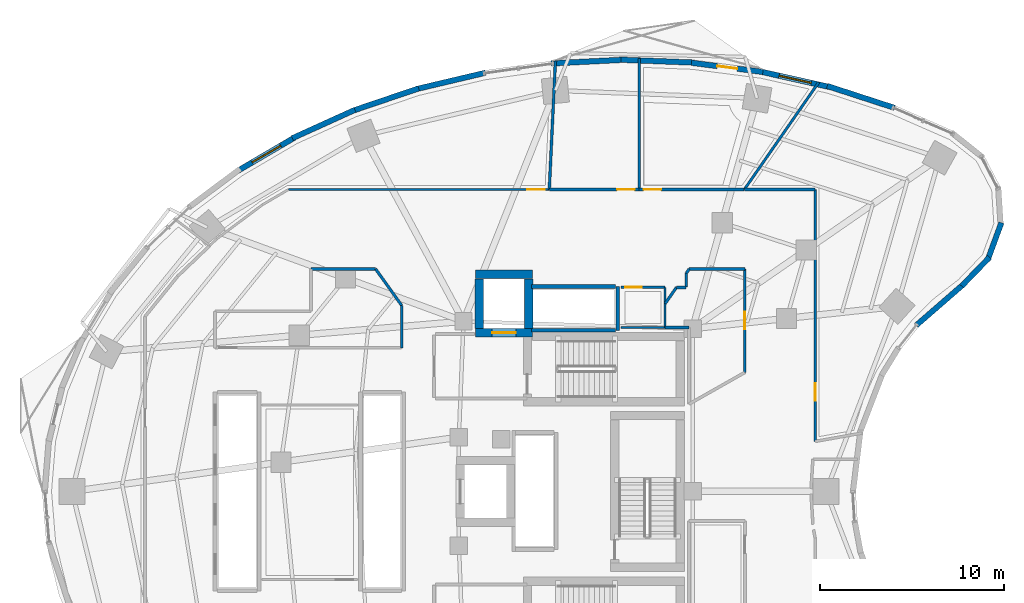
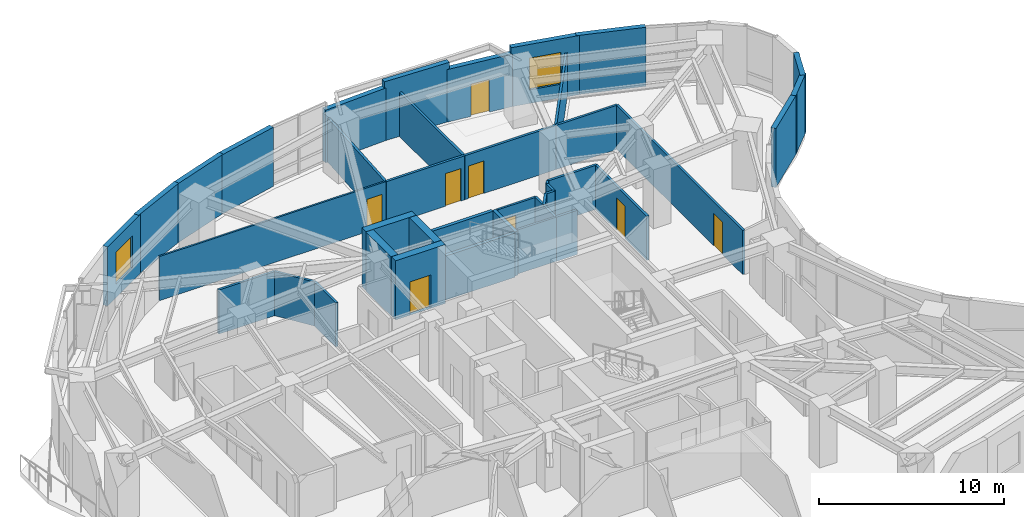
# One storey, part 11 of 15: 40 walls, 8 doors, 2 windows, 10 openings.
"""IFC4 building model written with IfcOpenShell, lengths in metres."""

from ifc_helpers import new_model, si_unit, direction, frame, frame_2d, origin, place, context, subcontext, project, spatial, rectangle, extrude, material, layer, layer_set, type_object, element, fill, save


model = new_model("IFC4")

# Units and contexts
model_context = context("Model", 3, precision=1e-05, world=origin(), true_north=direction((0.0, 1.0)))
body_context = subcontext(model_context, "Body", "Model", "MODEL_VIEW")
ifc_project = project(units=[si_unit("LENGTHUNIT", "METRE"), si_unit("AREAUNIT", "SQUARE_METRE"), si_unit("VOLUMEUNIT", "CUBIC_METRE"), si_unit("PLANEANGLEUNIT", "RADIAN"), si_unit("MASSUNIT", "GRAM", prefix="KILO")], contexts=[model_context])

# Site, building, storey
site_placement = place(None, origin())
site = spatial("IfcSite", under=ifc_project, at=site_placement, CompositionType="ELEMENT")
building_placement = place(site_placement, origin())
building = spatial("IfcBuilding", under=site, at=building_placement, Name="Korentha Bioscience Tower", CompositionType="ELEMENT")
storey_placement = place(building_placement, frame((0.0, 0.0, 42.60009765625)))
storey = spatial("IfcBuildingStorey", under=building, at=storey_placement, Name="L09", CompositionType="ELEMENT", Elevation=42.60009765625)

# Wall, opening, door
ifc_material_1 = material(Name="Double-Stud Acoustic Gypsum", Category="gypsum")
ifc_layer_1 = layer(ifc_material_1, 0.14990234375, Name="Double-Stud Acoustic Gypsum")
ifc_layer_set_1 = layer_set([ifc_layer_1], Name="Double-Stud Acoustic Gypsum (IW-L150)")
wall_type_1 = type_object("IfcWallType", Name="Acoustic Laboratory Partition Wall 150", PredefinedType="PARTITIONING", material=ifc_layer_set_1)
wall_1_placement = place(storey_placement, frame((40.389892578125, 39.090087890625, 0.0), z_axis=(0.0, 0.0, 1.0), x_axis=(0.0, -1.0, 0.0)))
wall_1 = element("IfcWall", 1, at=wall_1_placement, inside=storey, type_object=wall_type_1, Name="L09 Fluorescence Confocal Microscopy Room 10 Entrance Wall", PredefinedType="PARTITIONING", context=body_context, shape_type="SweptSolid", body=[
    extrude(rectangle(XDim=5.62109375, YDim=0.14990234375, at=frame_2d((2.810546875, 0.0))), origin(), (0.0, 0.0, 1.0), 2.909912109375),
])
opening_1_placement = place(wall_1_placement, frame((2.33544921875, 0.0, 0.0)))
opening_1 = element("IfcOpeningElement", 2, at=opening_1_placement, cuts=wall_1, Name="Opening ID-10L", PredefinedType="OPENING", context=body_context, shape_type="SweptSolid", body=[
    extrude(rectangle(XDim=0.949951171875, YDim=2.14990234375, at=frame_2d((0.47509765625, 1.074951171875))), frame((0.0, 0.08984375, 0.0), z_axis=(0.0, -1.0, 0.0), x_axis=(1.0, 0.0, 0.0)), (0.0, 0.0, 1.0), 0.1796875),
])
ifc_material_2 = material(Name="Phenolic Laminate Timber Core", Category="wood")
door_type_1 = type_object("IfcDoorType", Name="Laboratory Single Leaf Door 950x2150 Left", OperationType="SINGLE_SWING_LEFT", PredefinedType="DOOR", material=ifc_material_2)
door_1_placement = place(opening_1_placement, origin())
door_1 = element("IfcDoor", 3, at=door_1_placement, inside=storey, type_object=door_type_1, Name="L09 Fluorescence Confocal Microscopy Room 10 Door", OperationType="SINGLE_SWING_LEFT", OverallHeight=2.14990234375, OverallWidth=0.949951171875, PredefinedType="DOOR", context=body_context, shape_type="SweptSolid", body=[
    extrude(rectangle(XDim=0.949951171875, YDim=2.14990234375, at=frame_2d((0.47509765625, 1.074951171875))), frame((0.0, 0.02490234375, 0.0), z_axis=(0.0, -1.0, 0.0), x_axis=(1.0, 0.0, 0.0)), (0.0, 0.0, 1.0), 0.050048828125),
])
fill(opening_1, door_1)

wall_2_placement = place(storey_placement, frame((40.35302734375, 43.409912109375, 0.0), z_axis=(0.0, 0.0, 1.0), x_axis=(-1.0, 0.0, 0.0)))
wall_2 = element("IfcWall", 4, at=wall_2_placement, inside=storey, type_object=wall_type_1, Name="L09 Incubator and Bioreactor Suite 11 Entrance Wall", PredefinedType="PARTITIONING", context=body_context, shape_type="SweptSolid", body=[
    extrude(rectangle(XDim=5.700927734375, YDim=0.14990234375, at=frame_2d((2.8505859375, 0.0))), origin(), (0.0, 0.0, 1.0), 2.909912109375),
])
opening_2_placement = place(wall_2_placement, frame((4.510986328125, 0.0, 0.0)))
opening_2 = element("IfcOpeningElement", 5, at=opening_2_placement, cuts=wall_2, Name="Opening ID-10R", PredefinedType="OPENING", context=body_context, shape_type="SweptSolid", body=[
    extrude(rectangle(XDim=0.949951171875, YDim=2.14990234375, at=frame_2d((0.47509765625, 1.074951171875))), frame((0.0, 0.08984375, 0.0), z_axis=(0.0, -1.0, 0.0), x_axis=(1.0, 0.0, 0.0)), (0.0, 0.0, 1.0), 0.1796875),
])
door_type_2 = type_object("IfcDoorType", Name="Laboratory Single Leaf Door 950x2150 Right", OperationType="SINGLE_SWING_RIGHT", PredefinedType="DOOR", material=ifc_material_2)
door_2_placement = place(opening_2_placement, origin())
door_2 = element("IfcDoor", 6, at=door_2_placement, inside=storey, type_object=door_type_2, Name="L09 Incubator and Bioreactor Suite 11 Door", OperationType="SINGLE_SWING_RIGHT", OverallHeight=2.14990234375, OverallWidth=0.949951171875, PredefinedType="DOOR", context=body_context, shape_type="SweptSolid", body=[
    extrude(rectangle(XDim=0.949951171875, YDim=2.14990234375, at=frame_2d((0.47509765625, 1.074951171875))), frame((0.0, 0.02490234375, 0.0), z_axis=(0.0, -1.0, 0.0), x_axis=(1.0, 0.0, 0.0)), (0.0, 0.0, 1.0), 0.050048828125),
])
fill(opening_2, door_2)

wall_3_placement = place(storey_placement, frame((34.64208984375, 43.409912109375, 0.0), z_axis=(0.0, 0.0, 1.0), x_axis=(-1.0, 0.0, 0.0)))
wall_3 = element("IfcWall", 7, at=wall_3_placement, inside=storey, type_object=wall_type_1, Name="L09 Translational Medicine Team Office 12 Entrance Wall", PredefinedType="PARTITIONING", context=body_context, shape_type="SweptSolid", body=[
    extrude(rectangle(XDim=4.88037109375, YDim=0.14990234375, at=frame_2d((2.440185546875, 0.0))), origin(), (0.0, 0.0, 1.0), 2.909912109375),
])
opening_3_placement = place(wall_3_placement, frame((0.239990234375, 0.0, 0.0)))
opening_3 = element("IfcOpeningElement", 8, at=opening_3_placement, cuts=wall_3, Name="Opening ID-10L", PredefinedType="OPENING", context=body_context, shape_type="SweptSolid", body=[
    extrude(rectangle(XDim=0.949951171875, YDim=2.14990234375, at=frame_2d((0.47509765625, 1.074951171875))), frame((0.0, 0.08984375, 0.0), z_axis=(0.0, -1.0, 0.0), x_axis=(1.0, 0.0, 0.0)), (0.0, 0.0, 1.0), 0.1796875),
])
door_3_placement = place(opening_3_placement, origin())
door_3 = element("IfcDoor", 9, at=door_3_placement, inside=storey, type_object=door_type_1, Name="L09 Translational Medicine Team Office 12 Door", OperationType="SINGLE_SWING_LEFT", OverallHeight=2.14990234375, OverallWidth=0.949951171875, PredefinedType="DOOR", context=body_context, shape_type="SweptSolid", body=[
    extrude(rectangle(XDim=0.949951171875, YDim=2.14990234375, at=frame_2d((0.47509765625, 1.074951171875))), frame((0.0, 0.02490234375, 0.0), z_axis=(0.0, -1.0, 0.0), x_axis=(1.0, 0.0, 0.0)), (0.0, 0.0, 1.0), 0.050048828125),
])
fill(opening_3, door_3)

# Walls
wall_4_placement = place(storey_placement, frame((36.67138671875, 38.090087890625, 0.0), z_axis=(0.0, 0.0, 1.0), x_axis=(1.0, 0.0, 0.0)))
element("IfcWall", 10, at=wall_4_placement, inside=storey, type_object=wall_type_1, Name="L09 Interior Partition 060", PredefinedType="PARTITIONING", context=body_context, shape_type="SweptSolid", body=[
    extrude(rectangle(XDim=0.528564453125, YDim=0.14990234375, at=frame_2d((0.26416015625, 0.0))), origin(), (0.0, 0.0, 1.0), 2.909912109375),
])
wall_5_placement = place(storey_placement, frame((37.2099609375, 38.10009765625, 0.0), z_axis=(0.0, 0.0, 1.0), x_axis=(0.0, 1.0, 0.0)))
element("IfcWall", 11, at=wall_5_placement, inside=storey, type_object=wall_type_1, Name="L09 Interior Partition 061", PredefinedType="PARTITIONING", context=body_context, shape_type="SweptSolid", body=[
    extrude(rectangle(XDim=0.76611328125, YDim=0.14990234375, at=frame_2d((0.383056640625, 0.0))), origin(), (0.0, 0.0, 1.0), 2.909912109375),
])
wall_6_placement = place(storey_placement, frame((37.2099609375, 38.8662109375, 0.0), z_axis=(0.0, 0.0, 1.0), x_axis=(0.570513293283, 0.821288367254, 0.0)))
element("IfcWall", 12, at=wall_6_placement, inside=storey, type_object=wall_type_1, Name="L09 Interior Partition 062", PredefinedType="PARTITIONING", context=body_context, shape_type="SweptSolid", body=[
    extrude(rectangle(XDim=0.272705078125, YDim=0.14990234375, at=frame_2d((0.13623046875, 0.0))), origin(), (0.0, 0.0, 1.0), 2.909912109375),
])
wall_7_placement = place(storey_placement, frame((37.365478515625, 39.090087890625, 0.0), z_axis=(0.0, 0.0, 1.0), x_axis=(1.0, 0.0, 0.0)))
element("IfcWall", 13, at=wall_7_placement, inside=storey, type_object=wall_type_1, Name="L09 Interior Partition 063", PredefinedType="PARTITIONING", context=body_context, shape_type="SweptSolid", body=[
    extrude(rectangle(XDim=3.0244140625, YDim=0.14990234375, at=frame_2d((1.51220703125, 0.0))), origin(), (0.0, 0.0, 1.0), 2.909912109375),
])
wall_8_placement = place(storey_placement, frame((37.35009765625, 35.909912109375, 0.0), z_axis=(0.0, 0.0, 1.0), x_axis=(-1.0, 0.0, 0.0)))
element("IfcWall", 14, at=wall_8_placement, inside=storey, type_object=wall_type_1, Name="L09 Interior Partition 066", PredefinedType="PARTITIONING", context=body_context, shape_type="SweptSolid", body=[
    extrude(rectangle(XDim=1.2900390625, YDim=0.14990234375, at=frame_2d((0.64501953125, 0.0))), origin(), (0.0, 0.0, 1.0), 2.909912109375),
])
wall_9_placement = place(storey_placement, frame((36.06005859375, 37.208740234375, 0.0), z_axis=(0.0, 0.0, 1.0), x_axis=(0.569943577232, 0.821683831393, 0.0)))
element("IfcWall", 15, at=wall_9_placement, inside=storey, type_object=wall_type_1, Name="L09 Interior Partition 067", PredefinedType="PARTITIONING", context=body_context, shape_type="SweptSolid", body=[
    extrude(rectangle(XDim=1.072509765625, YDim=0.14990234375, at=frame_2d((0.5361328125, 0.0))), origin(), (0.0, 0.0, 1.0), 2.909912109375),
])
wall_10_placement = place(storey_placement, frame((34.652099609375, 43.409912109375, 0.0), z_axis=(0.0, 0.0, 1.0), x_axis=(0.0, 1.0, 0.0)))
element("IfcWall", 16, at=wall_10_placement, inside=storey, type_object=wall_type_1, Name="L09 Interior Partition 068", PredefinedType="PARTITIONING", context=body_context, shape_type="SweptSolid", body=[
    extrude(rectangle(XDim=7.13427734375, YDim=0.14990234375, at=frame_2d((3.567138671875, 0.0))), origin(), (0.0, 0.0, 1.0), 2.909912109375),
])
wall_11_placement = place(storey_placement, frame((29.76171875, 43.409912109375, 0.0), z_axis=(0.0, 0.0, 1.0), x_axis=(0.047838889666, 0.99885506488, 0.0)))
element("IfcWall", 17, at=wall_11_placement, inside=storey, type_object=wall_type_1, Name="L09 Interior Partition 069", PredefinedType="PARTITIONING", context=body_context, shape_type="SweptSolid", body=[
    extrude(rectangle(XDim=6.99169921875, YDim=0.14990234375, at=frame_2d((3.495849609375, 0.0))), origin(), (0.0, 0.0, 1.0), 2.909912109375),
])
wall_12_placement = place(storey_placement, frame((21.739990234375, 37.111083984375, 0.0), z_axis=(0.0, 0.0, 1.0), x_axis=(0.0, -1.0, 0.0)))
element("IfcWall", 18, at=wall_12_placement, inside=storey, type_object=wall_type_1, Name="L09 Interior Partition 074", PredefinedType="PARTITIONING", context=body_context, shape_type="SweptSolid", body=[
    extrude(rectangle(XDim=2.301025390625, YDim=0.14990234375, at=frame_2d((1.150390625, 0.0))), origin(), (0.0, 0.0, 1.0), 2.909912109375),
])
wall_13_placement = place(storey_placement, frame((16.81005859375, 39.090087890625, 0.0), z_axis=(0.0, 0.0, 1.0), x_axis=(1.0, 0.0, 0.0)))
element("IfcWall", 19, at=wall_13_placement, inside=storey, type_object=wall_type_1, Name="L09 Interior Partition 078", PredefinedType="PARTITIONING", context=body_context, shape_type="SweptSolid", body=[
    extrude(rectangle(XDim=3.5146484375, YDim=0.14990234375, at=frame_2d((1.75732421875, 0.0))), origin(), (0.0, 0.0, 1.0), 2.909912109375),
])
wall_14_placement = place(storey_placement, frame((20.32470703125, 39.090087890625, 0.0), z_axis=(0.0, 0.0, 1.0), x_axis=(0.581703214005, -0.813401113115, 0.0)))
element("IfcWall", 20, at=wall_14_placement, inside=storey, type_object=wall_type_1, Name="L09 Interior Partition 079", PredefinedType="PARTITIONING", context=body_context, shape_type="SweptSolid", body=[
    extrude(rectangle(XDim=2.43310546875, YDim=0.14990234375, at=frame_2d((1.216552734375, 0.0))), origin(), (0.0, 0.0, 1.0), 2.909912109375),
])

# Wall, opening, door
ifc_material_3 = material(Name="Insulated Aluminium Honeycomb Panel", Category="aluminium")
ifc_layer_2 = layer(ifc_material_3, 0.139892578125, Name="Insulated Aluminium Honeycomb Panel")
ifc_layer_set_2 = layer_set([ifc_layer_2], Name="Insulated Aluminium Honeycomb Panel (IW-F60)")
wall_type_2 = type_object("IfcWallType", Name="Cleanroom Flush Metal Panel Partition 140", PredefinedType="PARTITIONING", material=ifc_layer_set_2)
wall_15_placement = place(storey_placement, frame((44.2099609375, 29.719970703125, 0.0), z_axis=(0.0, 0.0, 1.0), x_axis=(0.0, 1.0, 0.0)))
wall_15 = element("IfcWall", 21, at=wall_15_placement, inside=storey, type_object=wall_type_2, Name="L09 Airlock Gowning Anteroom 09 Entrance Wall", PredefinedType="PARTITIONING", context=body_context, shape_type="SweptSolid", body=[
    extrude(rectangle(XDim=13.679931640625, YDim=0.139892578125, at=frame_2d((6.83984375, 0.0))), origin(), (0.0, 0.0, 1.0), 2.909912109375),
])
opening_4_placement = place(wall_15_placement, frame((2.2021484375, 0.0, 0.0)))
opening_4 = element("IfcOpeningElement", 22, at=opening_4_placement, cuts=wall_15, Name="Opening ID-10R", PredefinedType="OPENING", context=body_context, shape_type="SweptSolid", body=[
    extrude(rectangle(XDim=0.949951171875, YDim=2.14990234375, at=frame_2d((0.47509765625, 1.074951171875))), frame((0.0, 0.0849609375, 0.0), z_axis=(0.0, -1.0, 0.0), x_axis=(1.0, 0.0, 0.0)), (0.0, 0.0, 1.0), 0.169677734375),
])
door_4_placement = place(opening_4_placement, origin())
door_4 = element("IfcDoor", 23, at=door_4_placement, inside=storey, type_object=door_type_2, Name="L09 Airlock Gowning Anteroom 09 Door", OperationType="SINGLE_SWING_RIGHT", OverallHeight=2.14990234375, OverallWidth=0.949951171875, PredefinedType="DOOR", context=body_context, shape_type="SweptSolid", body=[
    extrude(rectangle(XDim=0.949951171875, YDim=2.14990234375, at=frame_2d((0.47509765625, 1.074951171875))), frame((0.0, 0.02490234375, 0.0), z_axis=(0.0, -1.0, 0.0), x_axis=(1.0, 0.0, 0.0)), (0.0, 0.0, 1.0), 0.050048828125),
])
fill(opening_4, door_4)

# Walls
wall_16_placement = place(storey_placement, frame((44.199951171875, 43.409912109375, 0.0), z_axis=(0.0, 0.0, 1.0), x_axis=(-1.0, 0.0, 0.0)))
element("IfcWall", 24, at=wall_16_placement, inside=storey, type_object=wall_type_2, Name="L09 Interior Partition 058", PredefinedType="PARTITIONING", context=body_context, shape_type="SweptSolid", body=[
    extrude(rectangle(XDim=3.8369140625, YDim=0.139892578125, at=frame_2d((1.91845703125, 0.0))), origin(), (0.0, 0.0, 1.0), 2.909912109375),
])
wall_17_placement = place(storey_placement, frame((40.363037109375, 43.409912109375, 0.0), z_axis=(0.0, 0.0, 1.0), x_axis=(0.570097674314, 0.821576923813, 0.0)))
element("IfcWall", 25, at=wall_17_placement, inside=storey, type_object=wall_type_2, Name="L09 Interior Partition 059", PredefinedType="PARTITIONING", context=body_context, shape_type="SweptSolid", body=[
    extrude(rectangle(XDim=7.0908203125, YDim=0.139892578125, at=frame_2d((3.54541015625, 0.0))), origin(), (0.0, 0.0, 1.0), 2.909912109375),
])

# Wall, opening, door
ifc_material_4 = material(Name="Fire-Rated Framed Glass", Category="glass")
ifc_layer_3 = layer(ifc_material_4, 0.110107421875, Name="Fire-Rated Framed Glass")
ifc_layer_set_3 = layer_set([ifc_layer_3], Name="Fire-Rated Framed Glass (IW-G110)")
wall_type_3 = type_object("IfcWallType", Name="Demountable Glazed Office Partition 110", PredefinedType="MOVABLE", material=ifc_layer_set_3)
wall_18_placement = place(storey_placement, frame((29.751708984375, 43.409912109375, 0.0), z_axis=(0.0, 0.0, 1.0), x_axis=(-1.0, 0.0, 0.0)))
wall_18 = element("IfcWall", 26, at=wall_18_placement, inside=storey, type_object=wall_type_3, Name="L09 Biostatistics Research Office 13 Entrance Wall", PredefinedType="MOVABLE", context=body_context, shape_type="SweptSolid", body=[
    extrude(rectangle(XDim=14.160888671875, YDim=0.110107421875, at=frame_2d((7.08056640625, 0.0))), origin(), (0.0, 0.0, 1.0), 2.909912109375),
])
opening_5_placement = place(wall_18_placement, frame((0.239990234375, 0.0, 0.0)))
opening_5 = element("IfcOpeningElement", 27, at=opening_5_placement, cuts=wall_18, Name="Opening ID-10R", PredefinedType="OPENING", context=body_context, shape_type="SweptSolid", body=[
    extrude(rectangle(XDim=0.949951171875, YDim=2.14990234375, at=frame_2d((0.47509765625, 1.074951171875))), frame((0.0, 0.06982421875, 0.0), z_axis=(0.0, -1.0, 0.0), x_axis=(1.0, 0.0, 0.0)), (0.0, 0.0, 1.0), 0.139892578125),
])
door_5_placement = place(opening_5_placement, origin())
door_5 = element("IfcDoor", 28, at=door_5_placement, inside=storey, type_object=door_type_2, Name="L09 Biostatistics Research Office 13 Door", OperationType="SINGLE_SWING_RIGHT", OverallHeight=2.14990234375, OverallWidth=0.949951171875, PredefinedType="DOOR", context=body_context, shape_type="SweptSolid", body=[
    extrude(rectangle(XDim=0.949951171875, YDim=2.14990234375, at=frame_2d((0.47509765625, 1.074951171875))), frame((0.0, 0.02490234375, 0.0), z_axis=(0.0, -1.0, 0.0), x_axis=(1.0, 0.0, 0.0)), (0.0, 0.0, 1.0), 0.050048828125),
])
fill(opening_5, door_5)

# Wall, opening, window
ifc_material_5 = material(Name="Honed Limestone Precast Concrete C40", Category="masonry")
ifc_layer_4 = layer(ifc_material_5, 0.300048828125, Name="Honed Limestone Precast Concrete C40")
ifc_layer_set_4 = layer_set([ifc_layer_4], Name="Honed Limestone Precast Concrete C40 (EW-ST300)")
wall_type_4 = type_object("IfcWallType", Name="Honed Limestone Cavity Spandrel Wall 300", PredefinedType="STANDARD", material=ifc_layer_set_4)
wall_19_placement = place(storey_placement, frame((45.015869140625, 48.97607421875, 0.0), z_axis=(0.0, 0.0, 1.0), x_axis=(-0.9758772609, 0.218319883791, 0.0)))
wall_19 = element("IfcWall", 29, at=wall_19_placement, inside=storey, type_object=wall_type_4, Name="L09 Honed Limestone Spandrel Wall 03", PredefinedType="STANDARD", context=body_context, shape_type="SweptSolid", body=[
    extrude(rectangle(XDim=3.869140625, YDim=0.300048828125, at=frame_2d((1.9345703125, 0.0))), origin(), (0.0, 0.0, 1.0), 3.89990234375),
])
opening_6_placement = place(wall_19_placement, frame((1.034423828125, 0.0, 0.89990234375)))
opening_6 = element("IfcOpeningElement", 30, at=opening_6_placement, cuts=wall_19, Name="Opening WN-01", PredefinedType="OPENING", context=body_context, shape_type="SweptSolid", body=[
    extrude(rectangle(XDim=1.800048828125, YDim=2.10009765625, at=frame_2d((0.89990234375, 1.050048828125))), frame((0.0, 0.1650390625, 0.0), z_axis=(0.0, -1.0, 0.0), x_axis=(1.0, 0.0, 0.0)), (0.0, 0.0, 1.0), 0.329833984375),
])
ifc_material_6 = material(Name="Thermally Broken Aluminium Triple Glazing", Category="aluminium")
window_type = type_object("IfcWindowType", Name="Triple-Glazed Fixed Bioscience Window 1800x2100", PartitioningType="SINGLE_PANEL", PredefinedType="WINDOW", material=ifc_material_6)
window_1_placement = place(opening_6_placement, origin())
window_1 = element("IfcWindow", 31, at=window_1_placement, inside=storey, type_object=window_type, Name="L09 Facade Window 03", OverallHeight=2.10009765625, OverallWidth=1.800048828125, PartitioningType="SINGLE_PANEL", PredefinedType="WINDOW", context=body_context, shape_type="SweptSolid", body=[
    extrude(rectangle(XDim=1.800048828125, YDim=2.10009765625, at=frame_2d((0.89990234375, 1.050048828125))), frame((0.0, 0.030029296875, 0.0), z_axis=(0.0, -1.0, 0.0), x_axis=(1.0, 0.0, 0.0)), (0.0, 0.0, 1.0), 0.06005859375),
])
fill(opening_6, window_1)

# Wall, opening, door
wall_20_placement = place(storey_placement, frame((41.37255859375, 49.797607421875, 0.0), z_axis=(0.0, 0.0, 1.0), x_axis=(-0.991741322416, 0.128254237408, 0.0)))
wall_20 = element("IfcWall", 32, at=wall_20_placement, inside=storey, type_object=wall_type_4, Name="L09 Balcony Threshold Wall 01", PredefinedType="STANDARD", context=body_context, shape_type="SweptSolid", body=[
    extrude(rectangle(XDim=3.91552734375, YDim=0.300048828125, at=frame_2d((1.957763671875, 0.0))), origin(), (0.0, 0.0, 1.0), 3.469970703125),
])
opening_7_placement = place(wall_20_placement, frame((1.407958984375, 0.0, 0.0)))
opening_7 = element("IfcOpeningElement", 33, at=opening_7_placement, cuts=wall_20, Name="Opening BD-11L", PredefinedType="OPENING", context=body_context, shape_type="SweptSolid", body=[
    extrude(rectangle(XDim=1.10009765625, YDim=2.14990234375, at=frame_2d((0.550048828125, 1.074951171875))), frame((0.0, 0.1650390625, 0.0), z_axis=(0.0, -1.0, 0.0), x_axis=(1.0, 0.0, 0.0)), (0.0, 0.0, 1.0), 0.329833984375),
])
ifc_material_7 = material(Name="Thermally Broken Glazed Aluminium", Category="aluminium")
door_type_3 = type_object("IfcDoorType", Name="Balcony Terrace Glazed Door 1100x2150 Left", OperationType="SINGLE_SWING_LEFT", PredefinedType="DOOR", material=ifc_material_7)
door_6_placement = place(opening_7_placement, origin())
door_6 = element("IfcDoor", 34, at=door_6_placement, inside=storey, type_object=door_type_3, Name="L09 Balcony Access Door 01", OperationType="SINGLE_SWING_LEFT", OverallHeight=2.14990234375, OverallWidth=1.10009765625, PredefinedType="DOOR", context=body_context, shape_type="SweptSolid", body=[
    extrude(rectangle(XDim=1.10009765625, YDim=2.14990234375, at=frame_2d((0.550048828125, 1.074951171875))), frame((0.0, 0.02490234375, 0.0), z_axis=(0.0, -1.0, 0.0), x_axis=(1.0, 0.0, 0.0)), (0.0, 0.0, 1.0), 0.050048828125),
])
fill(opening_7, door_6)

# Wall, opening, window
wall_21_placement = place(storey_placement, frame((15.943603515625, 46.25048828125, 0.0), z_axis=(0.0, 0.0, 1.0), x_axis=(-0.862473134325, -0.506102847817, 0.0)))
wall_21 = element("IfcWall", 35, at=wall_21_placement, inside=storey, type_object=wall_type_4, Name="L09 Honed Limestone Spandrel Wall 11", PredefinedType="STANDARD", context=body_context, shape_type="SweptSolid", body=[
    extrude(rectangle(XDim=3.59521484375, YDim=0.300048828125, at=frame_2d((1.797607421875, 0.0))), origin(), (0.0, 0.0, 1.0), 3.89990234375),
])
opening_8_placement = place(wall_21_placement, frame((0.897705078125, 0.0, 0.89990234375)))
opening_8 = element("IfcOpeningElement", 36, at=opening_8_placement, cuts=wall_21, Name="Opening WN-01", PredefinedType="OPENING", context=body_context, shape_type="SweptSolid", body=[
    extrude(rectangle(XDim=1.800048828125, YDim=2.10009765625, at=frame_2d((0.89990234375, 1.050048828125))), frame((0.0, 0.1650390625, 0.0), z_axis=(0.0, -1.0, 0.0), x_axis=(1.0, 0.0, 0.0)), (0.0, 0.0, 1.0), 0.329833984375),
])
window_2_placement = place(opening_8_placement, origin())
window_2 = element("IfcWindow", 37, at=window_2_placement, inside=storey, type_object=window_type, Name="L09 Facade Window 11", OverallHeight=2.10009765625, OverallWidth=1.800048828125, PartitioningType="SINGLE_PANEL", PredefinedType="WINDOW", context=body_context, shape_type="SweptSolid", body=[
    extrude(rectangle(XDim=1.800048828125, YDim=2.10009765625, at=frame_2d((0.89990234375, 1.050048828125))), frame((0.0, 0.030029296875, 0.0), z_axis=(0.0, -1.0, 0.0), x_axis=(1.0, 0.0, 0.0)), (0.0, 0.0, 1.0), 0.06005859375),
])
fill(opening_8, window_2)

# Walls
wall_22_placement = place(storey_placement, frame((48.524658203125, 47.84912109375, 0.0), z_axis=(0.0, 0.0, 1.0), x_axis=(-0.950965833732, 0.309295947393, 0.0)))
element("IfcWall", 38, at=wall_22_placement, inside=storey, type_object=wall_type_4, Name="L09 Limestone Perimeter Closure Wall 02", PredefinedType="STANDARD", context=body_context, shape_type="SweptSolid", body=[
    extrude(rectangle(XDim=3.840087890625, YDim=0.300048828125, at=frame_2d((1.919921875, 0.0))), origin(), (0.0, 0.0, 1.0), 3.89990234375),
])
wall_23_placement = place(storey_placement, frame((37.643798828125, 50.307861328125, 0.0), z_axis=(0.0, 0.0, 1.0), x_axis=(-0.999245411623, 0.038840794937, 0.0)))
element("IfcWall", 39, at=wall_23_placement, inside=storey, type_object=wall_type_4, Name="L09 Limestone Perimeter Closure Wall 05", PredefinedType="STANDARD", context=body_context, shape_type="SweptSolid", body=[
    extrude(rectangle(XDim=3.978759765625, YDim=0.300048828125, at=frame_2d((1.9892578125, 0.0))), origin(), (0.0, 0.0, 1.0), 3.89990234375),
])
wall_24_placement = place(storey_placement, frame((33.84033203125, 50.46337890625, 0.0), z_axis=(0.0, 0.0, 1.0), x_axis=(-0.998732359232, -0.050335619826, 0.0)))
element("IfcWall", 40, at=wall_24_placement, inside=storey, type_object=wall_type_4, Name="L09 Limestone Perimeter Closure Wall 06", PredefinedType="STANDARD", context=body_context, shape_type="SweptSolid", body=[
    extrude(rectangle(XDim=3.977294921875, YDim=0.300048828125, at=frame_2d((1.98876953125, 0.0))), origin(), (0.0, 0.0, 1.0), 3.469970703125),
])
wall_25_placement = place(storey_placement, frame((26.29736328125, 49.7587890625, 0.0), z_axis=(0.0, 0.0, 1.0), x_axis=(-0.973197600754, -0.229970497863, 0.0)))
element("IfcWall", 41, at=wall_25_placement, inside=storey, type_object=wall_type_4, Name="L09 Limestone Perimeter Closure Wall 08", PredefinedType="STANDARD", context=body_context, shape_type="SweptSolid", body=[
    extrude(rectangle(XDim=3.9013671875, YDim=0.300048828125, at=frame_2d((1.95068359375, 0.0))), origin(), (0.0, 0.0, 1.0), 3.89990234375),
])
wall_26_placement = place(storey_placement, frame((22.6669921875, 48.9091796875, 0.0), z_axis=(0.0, 0.0, 1.0), x_axis=(-0.94702579403, -0.321157508773, 0.0)))
element("IfcWall", 42, at=wall_26_placement, inside=storey, type_object=wall_type_4, Name="L09 Limestone Perimeter Closure Wall 09", PredefinedType="STANDARD", context=body_context, shape_type="SweptSolid", body=[
    extrude(rectangle(XDim=3.829833984375, YDim=0.300048828125, at=frame_2d((1.9150390625, 0.0))), origin(), (0.0, 0.0, 1.0), 3.89990234375),
])
wall_27_placement = place(storey_placement, frame((19.201416015625, 47.7431640625, 0.0), z_axis=(0.0, 0.0, 1.0), x_axis=(-0.910623406862, -0.413237233166, 0.0)))
element("IfcWall", 43, at=wall_27_placement, inside=storey, type_object=wall_type_4, Name="L09 Limestone Perimeter Closure Wall 10", PredefinedType="STANDARD", context=body_context, shape_type="SweptSolid", body=[
    extrude(rectangle(XDim=3.73974609375, YDim=0.300048828125, at=frame_2d((1.869873046875, 0.0))), origin(), (0.0, 0.0, 1.0), 3.89990234375),
])
wall_28_placement = place(storey_placement, frame((49.708984375, 36.029296875, 0.0), z_axis=(0.0, 0.0, 1.0), x_axis=(0.754746490246, 0.656016566454, 0.0)))
element("IfcWall", 44, at=wall_28_placement, inside=storey, type_object=wall_type_4, Name="L09 Limestone Perimeter Closure Wall 56", PredefinedType="STANDARD", context=body_context, shape_type="SweptSolid", body=[
    extrude(rectangle(XDim=3.4296875, YDim=0.300048828125, at=frame_2d((1.71484375, 0.0))), origin(), (0.0, 0.0, 1.0), 3.89990234375),
])
wall_29_placement = place(storey_placement, frame((52.1728515625, 38.1611328125, 0.0), z_axis=(0.0, 0.0, 1.0), x_axis=(0.695404695719, 0.718618333451, 0.0)))
element("IfcWall", 45, at=wall_29_placement, inside=storey, type_object=wall_type_4, Name="L09 Limestone Perimeter Closure Wall 58", PredefinedType="STANDARD", context=body_context, shape_type="SweptSolid", body=[
    extrude(rectangle(XDim=2.1875, YDim=0.300048828125, at=frame_2d((1.09375, 0.0))), origin(), (0.0, 0.0, 1.0), 3.89990234375),
])
wall_30_placement = place(storey_placement, frame((53.580078125, 39.551513671875, 0.0), z_axis=(0.0, 0.0, 1.0), x_axis=(0.344939866054, 0.938624785954, 0.0)))
element("IfcWall", 46, at=wall_30_placement, inside=storey, type_object=wall_type_4, Name="L09 Limestone Perimeter Closure Wall 59", PredefinedType="STANDARD", context=body_context, shape_type="SweptSolid", body=[
    extrude(rectangle(XDim=2.187744140625, YDim=0.300048828125, at=frame_2d((1.09375, 0.0))), origin(), (0.0, 0.0, 1.0), 3.89990234375),
])
ifc_material_8 = material(Name="Autoclaved Aerated Concrete Block C25", Category="concrete")
ifc_layer_5 = layer(ifc_material_8, 0.199951171875, Name="Autoclaved Aerated Concrete Block C25")
ifc_layer_set_5 = layer_set([ifc_layer_5], Name="Autoclaved Aerated Concrete Block C25 (IW-S200)")
wall_type_5 = type_object("IfcWallType", Name="Lift and Riser Shaft Enclosure Wall 200", PredefinedType="PARTITIONING", material=ifc_layer_set_5)
wall_31_placement = place(storey_placement, frame((33.489990234375, 35.760009765625, 0.0), z_axis=(0.0, 0.0, 1.0), x_axis=(0.0, 1.0, 0.0)))
element("IfcWall", 47, at=wall_31_placement, inside=storey, type_object=wall_type_5, Name="L09 Lift Bank OBS Shaft Wall +X", PredefinedType="PARTITIONING", context=body_context, shape_type="SweptSolid", body=[
    extrude(rectangle(XDim=2.3798828125, YDim=0.199951171875, at=frame_2d((1.18994140625, 0.0))), origin(), (0.0, 0.0, 1.0), 2.909912109375),
])
for number, where, z_axis, x_axis, name in (
    (48, (28.800048828125, 35.760009765625, 0.0), (0.0, 0.0, 1.0), (1.0, 0.0, 0.0), "L09 Lift Bank OBS Shaft Wall -Y"),
    (49, (28.800048828125, 38.139892578125, 0.0), (0.0, 0.0, 1.0), (1.0, 0.0, 0.0), "L09 Lift Bank OBS Shaft Wall +Y"),
):
    element("IfcWall", number, at=place(storey_placement, frame(where, z_axis=z_axis, x_axis=x_axis)), inside=storey, type_object=wall_type_5, Name=name, PredefinedType="PARTITIONING", context=body_context, shape_type="SweptSolid", body=[
        extrude(rectangle(XDim=4.570068359375, YDim=0.199951171875, at=frame_2d((2.28515625, 0.0))), origin(), (0.0, 0.0, 1.0), 2.909912109375),
    ])
ifc_material_9 = material(Name="Concrete C80", Category="concrete")
ifc_layer_6 = layer(ifc_material_9, 0.449951171875, Name="Concrete C80")
ifc_layer_set_6 = layer_set([ifc_layer_6], Name="Concrete C80 (CW-C80)")
wall_type_6 = type_object("IfcWallType", Name="Lower Core Shear Wall 450", PredefinedType="SHEAR", material=ifc_layer_set_6)
wall_32_placement = place(storey_placement, frame((25.75, 38.800048828125, 0.0), z_axis=(0.0, 0.0, 1.0), x_axis=(1.0, 0.0, 0.0)))
element("IfcWall", 50, at=wall_32_placement, inside=storey, type_object=wall_type_6, Name="L09 Core Shear Wall FFL2-N", PredefinedType="SHEAR", context=body_context, shape_type="SweptSolid", body=[
    extrude(rectangle(XDim=3.10009765625, YDim=0.449951171875, at=frame_2d((1.550048828125, 0.0))), origin(), (0.0, 0.0, 1.0), 3.89990234375),
])

# Wall, opening, door
wall_33_placement = place(storey_placement, frame((25.75, 35.6201171875, 0.0), z_axis=(0.0, 0.0, 1.0), x_axis=(1.0, 0.0, 0.0)))
wall_33 = element("IfcWall", 51, at=wall_33_placement, inside=storey, type_object=wall_type_6, Name="L09 Core Shear Wall FFL2-S", PredefinedType="SHEAR", context=body_context, shape_type="SweptSolid", body=[
    extrude(rectangle(XDim=3.10009765625, YDim=0.449951171875, at=frame_2d((1.550048828125, 0.0))), origin(), (0.0, 0.0, 1.0), 3.89990234375),
])
opening_9_placement = place(wall_33_placement, frame((0.89990234375, 0.0, 0.0)))
opening_9 = element("IfcOpeningElement", 52, at=opening_9_placement, cuts=wall_33, Name="Opening LD-13", PredefinedType="OPENING", context=body_context, shape_type="SweptSolid", body=[
    extrude(rectangle(XDim=1.300048828125, YDim=2.199951171875, at=frame_2d((0.64990234375, 1.10009765625))), frame((0.0, 0.23974609375, 0.0), z_axis=(0.0, -1.0, 0.0), x_axis=(1.0, 0.0, 0.0)), (0.0, 0.0, 1.0), 0.479736328125),
])
ifc_material_10 = material(Name="Brushed Stainless Steel 316", Category="steel")
door_type_4 = type_object("IfcDoorType", Name="Service & Firefighting Lift Landing Door 1300x2300", OperationType="DOUBLE_DOOR_SLIDING", PredefinedType="DOOR", material=ifc_material_10)
door_7_placement = place(opening_9_placement, origin())
door_7 = element("IfcDoor", 53, at=door_7_placement, inside=storey, type_object=door_type_4, Name="L09 FFL-2 Sliding Lift Landing Door", OperationType="DOUBLE_DOOR_SLIDING", OverallHeight=2.199951171875, OverallWidth=1.300048828125, PredefinedType="DOOR", context=body_context, shape_type="SweptSolid", body=[
    extrude(rectangle(XDim=1.300048828125, YDim=2.199951171875, at=frame_2d((0.64990234375, 1.10009765625))), frame((0.0, 0.02490234375, 0.0), z_axis=(0.0, -1.0, 0.0), x_axis=(1.0, 0.0, 0.0)), (0.0, 0.0, 1.0), 0.050048828125),
])
fill(opening_9, door_7)

# Walls
for number, where, z_axis, x_axis, name in (
    (54, (25.949951171875, 35.860107421875, 0.0), (0.0, 0.0, 1.0), (0.0, 1.0, 0.0), "L09 Core Shear Wall FFL2-W"),
    (55, (28.64990234375, 35.860107421875, 0.0), (0.0, 0.0, 1.0), (0.0, 1.0, 0.0), "L09 Core Shear Wall FFL2-E"),
):
    element("IfcWall", number, at=place(storey_placement, frame(where, z_axis=z_axis, x_axis=x_axis)), inside=storey, type_object=wall_type_6, Name=name, PredefinedType="SHEAR", context=body_context, shape_type="SweptSolid", body=[
        extrude(rectangle(XDim=2.699951171875, YDim=0.449951171875, at=frame_2d((1.35009765625, 0.0))), origin(), (0.0, 0.0, 1.0), 3.89990234375),
    ])

# Wall, opening, door
ifc_material_11 = material(Name="Cement-Board Steel Stud", Category="steel")
ifc_layer_7 = layer(ifc_material_11, 0.1298828125, Name="Cement-Board Steel Stud")
ifc_layer_set_7 = layer_set([ifc_layer_7], Name="Cement-Board Steel Stud (IW-W130)")
wall_type_7 = type_object("IfcWallType", Name="Wet-Area Moisture-Resistant Partition 130", PredefinedType="PARTITIONING", material=ifc_layer_set_7)
wall_34_placement = place(storey_placement, frame((33.64990234375, 38.090087890625, 0.0), z_axis=(0.0, 0.0, 1.0), x_axis=(1.0, 0.0, 0.0)))
wall_34 = element("IfcWall", 56, at=wall_34_placement, inside=storey, type_object=wall_type_7, Name="L09 Accessible Staff WC Entrance Wall", PredefinedType="PARTITIONING", context=body_context, shape_type="SweptSolid", body=[
    extrude(rectangle(XDim=2.400146484375, YDim=0.1298828125, at=frame_2d((1.2001953125, 0.0))), origin(), (0.0, 0.0, 1.0), 2.909912109375),
])
opening_10_placement = place(wall_34_placement, frame((0.239990234375, 0.0, 0.0)))
opening_10 = element("IfcOpeningElement", 57, at=opening_10_placement, cuts=wall_34, Name="Opening ID-09L", PredefinedType="OPENING", context=body_context, shape_type="SweptSolid", body=[
    extrude(rectangle(XDim=0.89990234375, YDim=2.14990234375, at=frame_2d((0.449951171875, 1.074951171875))), frame((0.0, 0.079833984375, 0.0), z_axis=(0.0, -1.0, 0.0), x_axis=(1.0, 0.0, 0.0)), (0.0, 0.0, 1.0), 0.15966796875),
])
ifc_material_12 = material(Name="Moisture-Resistant HPL Leaf", Category="wood")
door_type_5 = type_object("IfcDoorType", Name="Restroom & Accessible WC Door 900x2150 Left", OperationType="SINGLE_SWING_LEFT", PredefinedType="DOOR", material=ifc_material_12)
door_8_placement = place(opening_10_placement, origin())
door_8 = element("IfcDoor", 58, at=door_8_placement, inside=storey, type_object=door_type_5, Name="L09 Accessible Staff WC Door", OperationType="SINGLE_SWING_LEFT", OverallHeight=2.14990234375, OverallWidth=0.89990234375, PredefinedType="DOOR", context=body_context, shape_type="SweptSolid", body=[
    extrude(rectangle(XDim=0.89990234375, YDim=2.14990234375, at=frame_2d((0.449951171875, 1.074951171875))), frame((0.0, 0.02490234375, 0.0), z_axis=(0.0, -1.0, 0.0), x_axis=(1.0, 0.0, 0.0)), (0.0, 0.0, 1.0), 0.050048828125),
])
fill(opening_10, door_8)

# Walls
wall_35_placement = place(storey_placement, frame((36.050048828125, 35.909912109375, 0.0), z_axis=(0.0, 0.0, 1.0), x_axis=(-1.0, 0.0, 0.0)))
element("IfcWall", 59, at=wall_35_placement, inside=storey, type_object=wall_type_7, Name="L09 Interior Partition 021", PredefinedType="PARTITIONING", context=body_context, shape_type="SweptSolid", body=[
    extrude(rectangle(XDim=2.400146484375, YDim=0.1298828125, at=frame_2d((1.2001953125, 0.0))), origin(), (0.0, 0.0, 1.0), 2.909912109375),
])
wall_36_placement = place(storey_placement, frame((36.050048828125, 38.090087890625, 0.0), z_axis=(0.0, 0.0, 1.0), x_axis=(0.0, -1.0, 0.0)))
element("IfcWall", 60, at=wall_36_placement, inside=storey, type_object=wall_type_7, Name="L09 Interior Partition 022", PredefinedType="PARTITIONING", context=body_context, shape_type="SweptSolid", body=[
    extrude(rectangle(XDim=2.18017578125, YDim=0.1298828125, at=frame_2d((1.090087890625, 0.0))), origin(), (0.0, 0.0, 1.0), 2.909912109375),
])

save(model, "model.ifc")
